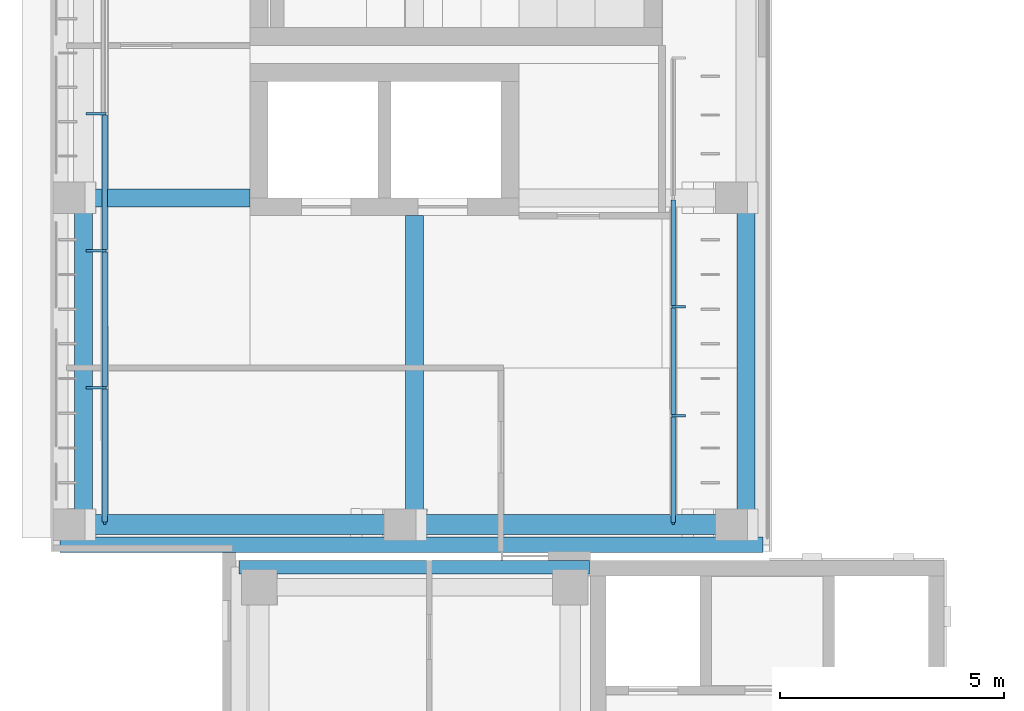
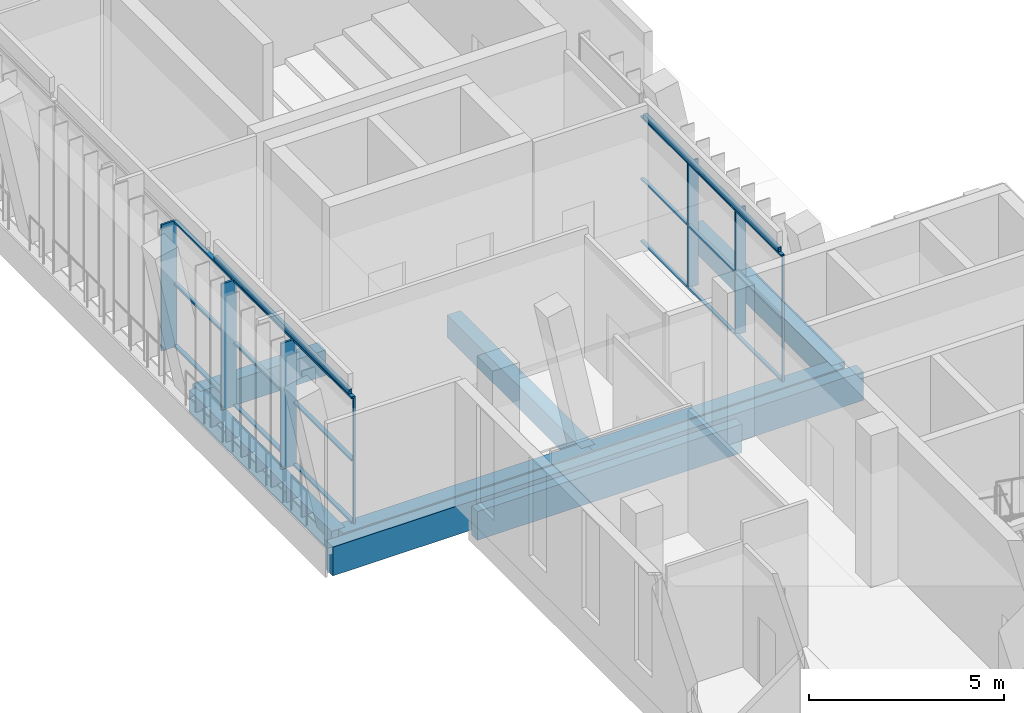
# One storey, part 16 of 74: 25 members, 10 beams, 2 elements without a shape of their own.
"""IFC4 building model written with IfcOpenShell, lengths in metres."""

from ifc_helpers import new_model, si_unit, direction, frame, origin, origin_2d, place, context, subcontext, project, spatial, rectangle, hollow_rectangle, extrude, material, material_profile, profile_set, type_object, element, aggregate, save


model = new_model("IFC4")

# Units and contexts
model_context = context("Model", 3, precision=1e-05, world=origin(), true_north=direction((0.0, 1.0)))
body_context = subcontext(model_context, "Body", "Model", "MODEL_VIEW")
ifc_project = project(units=[si_unit("LENGTHUNIT", "METRE"), si_unit("AREAUNIT", "SQUARE_METRE"), si_unit("VOLUMEUNIT", "CUBIC_METRE"), si_unit("PLANEANGLEUNIT", "RADIAN"), si_unit("MASSUNIT", "GRAM", prefix="KILO")], contexts=[model_context])

# Site, building, storey
site_placement = place(None, origin())
site = spatial("IfcSite", under=ifc_project, at=site_placement, CompositionType="ELEMENT")
building_placement = place(site_placement, origin())
building = spatial("IfcBuilding", under=site, at=building_placement, Name="Lantern Court Media Centre", CompositionType="ELEMENT")
storey_placement = place(building_placement, frame((0.0, 0.0, 19.199951171875)))
storey = spatial("IfcBuildingStorey", under=building, at=storey_placement, Name="L04", CompositionType="ELEMENT", Elevation=19.199951171875)

# Curtain wall, members
ifc_material_1 = material(Name="Curtain wall bay 2400")
curtain_wall_type_1 = type_object("IfcCurtainWallType", Name="Curtain wall bay 2400", PredefinedType="NOTDEFINED", material=ifc_material_1)
curtain_wall_1_placement = place(storey_placement, origin())
curtain_wall_1 = element("IfcCurtainWall", 1, at=curtain_wall_1_placement, inside=storey, type_object=curtain_wall_type_1, Name="Curtain wall W inner L04", PredefinedType="NOTDEFINED")
ifc_material_2 = material(Name="Anodised aluminium", Category="aluminium")
ifc_material_profile_1 = material_profile(ifc_material_2, rectangle(XDim=0.300048828125, YDim=0.050048828125, at=origin_2d()), Name="AL 50x300")
ifc_profile_set_1 = profile_set([ifc_material_profile_1], Name="Anodised aluminium")
member_type_1 = type_object("IfcMemberType", Name="Curtain wall mullion 50x300", PredefinedType="MULLION", material=ifc_profile_set_1)
member_1_placement = place(storey_placement, frame((17.969970703125, 67.13330078125, 0.0), z_axis=(0.0, 0.0, 1.0), x_axis=(-1.0, 0.0, 0.0)))
member_1 = element("IfcMember", 2, at=member_1_placement, type_object=member_type_1, Name="CW2 mullion 2", PredefinedType="MULLION", context=body_context, shape_type="SweptSolid", body=[
    extrude(rectangle(XDim=0.300048828125, YDim=0.050048828125, at=origin_2d()), origin(), (0.0, 0.0, 1.0), 3.949951171875),
])
member_2_placement = place(storey_placement, frame((17.969970703125, 69.566650390625, 0.0), z_axis=(0.0, 0.0, 1.0), x_axis=(-1.0, 0.0, 0.0)))
member_2 = element("IfcMember", 3, at=member_2_placement, type_object=member_type_1, Name="CW2 mullion 3", PredefinedType="MULLION", context=body_context, shape_type="SweptSolid", body=[
    extrude(rectangle(XDim=0.300048828125, YDim=0.050048828125, at=origin_2d()), origin(), (0.0, 0.0, 1.0), 3.949951171875),
])
ifc_material_profile_2 = material_profile(ifc_material_2, rectangle(XDim=0.06005859375, YDim=0.050048828125, at=origin_2d()), Name="AL 50x60")
ifc_profile_set_2 = profile_set([ifc_material_profile_2], Name="Anodised aluminium")
member_type_2 = type_object("IfcMemberType", Name="Curtain wall mullion 50x60", PredefinedType="MULLION", material=ifc_profile_set_2)
member_3_placement = place(storey_placement, frame((17.85009765625, 64.72509765625, 0.0), z_axis=(0.0, 0.0, 1.0), x_axis=(-1.0, 0.0, 0.0)))
member_3 = element("IfcMember", 4, at=member_3_placement, type_object=member_type_2, Name="CW2 mullion 1", PredefinedType="MULLION", context=body_context, shape_type="SweptSolid", body=[
    extrude(rectangle(XDim=0.06005859375, YDim=0.050048828125, at=origin_2d()), origin(), (0.0, 0.0, 1.0), 3.949951171875),
])

ifc_material_3 = material(Name="Curtain wall bay 3000")
curtain_wall_type_2 = type_object("IfcCurtainWallType", Name="Curtain wall bay 3000", PredefinedType="NOTDEFINED", material=ifc_material_3)
curtain_wall_2_placement = place(storey_placement, origin())
curtain_wall_2 = element("IfcCurtainWall", 5, at=curtain_wall_2_placement, inside=storey, type_object=curtain_wall_type_2, Name="Curtain wall W outer L04", PredefinedType="NOTDEFINED")
ifc_material_profile_3 = material_profile(ifc_material_2, rectangle(XDim=0.449951171875, YDim=0.06005859375, at=origin_2d()), Name="AL 60x450")
ifc_profile_set_3 = profile_set([ifc_material_profile_3], Name="Anodised aluminium")
member_type_3 = type_object("IfcMemberType", Name="Curtain wall mullion 60x450", PredefinedType="MULLION", material=ifc_profile_set_3)
member_4_placement = place(storey_placement, frame((4.955078125, 67.760009765625, 0.0), z_axis=(0.0, 0.0, 1.0), x_axis=(-1.0, 0.0, 0.0)))
member_4 = element("IfcMember", 6, at=member_4_placement, type_object=member_type_3, Name="CW1 mullion 2", PredefinedType="MULLION", context=body_context, shape_type="SweptSolid", body=[
    extrude(rectangle(XDim=0.449951171875, YDim=0.06005859375, at=origin_2d()), origin(), (0.0, 0.0, 1.0), 3.949951171875),
])
member_5_placement = place(storey_placement, frame((4.955078125, 70.820068359375, 0.0), z_axis=(0.0, 0.0, 1.0), x_axis=(-1.0, 0.0, 0.0)))
member_5 = element("IfcMember", 7, at=member_5_placement, type_object=member_type_3, Name="CW1 mullion 3", PredefinedType="MULLION", context=body_context, shape_type="SweptSolid", body=[
    extrude(rectangle(XDim=0.449951171875, YDim=0.06005859375, at=origin_2d()), origin(), (0.0, 0.0, 1.0), 3.949951171875),
])
member_6_placement = place(storey_placement, frame((4.955078125, 73.8798828125, 0.0), z_axis=(0.0, 0.0, 1.0), x_axis=(-1.0, 0.0, 0.0)))
member_6 = element("IfcMember", 8, at=member_6_placement, type_object=member_type_3, Name="CW1 mullion 4", PredefinedType="MULLION", context=body_context, shape_type="SweptSolid", body=[
    extrude(rectangle(XDim=0.449951171875, YDim=0.06005859375, at=origin_2d()), origin(), (0.0, 0.0, 1.0), 3.949951171875),
])
ifc_material_profile_4 = material_profile(ifc_material_2, rectangle(XDim=0.06005859375, YDim=0.06005859375, at=origin_2d()), Name="AL 60x60")
ifc_profile_set_4 = profile_set([ifc_material_profile_4], Name="Anodised aluminium")
member_type_4 = type_object("IfcMemberType", Name="Curtain wall mullion 60x60", PredefinedType="MULLION", material=ifc_profile_set_4)
member_7_placement = place(storey_placement, frame((5.14990234375, 64.72998046875, 0.0), z_axis=(0.0, 0.0, 1.0), x_axis=(-1.0, 0.0, 0.0)))
member_7 = element("IfcMember", 9, at=member_7_placement, type_object=member_type_4, Name="CW1 mullion 1", PredefinedType="MULLION", context=body_context, shape_type="SweptSolid", body=[
    extrude(rectangle(XDim=0.06005859375, YDim=0.06005859375, at=origin_2d()), origin(), (0.0, 0.0, 1.0), 3.949951171875),
])

# Member
ifc_material_profile_5 = material_profile(ifc_material_2, rectangle(XDim=0.10009765625, YDim=0.050048828125, at=origin_2d()), Name="AL 50x100")
ifc_profile_set_5 = profile_set([ifc_material_profile_5], Name="Anodised aluminium")
member_type_5 = type_object("IfcMemberType", Name="Curtain wall transom 100x50", PredefinedType="USERDEFINED", material=ifc_profile_set_5)
member_8_placement = place(storey_placement, frame((17.85009765625, 64.75, 0.025146484375), z_axis=(0.0, 1.0, 0.0), x_axis=(-1.0, 0.0, 0.0)))
member_8 = element("IfcMember", 10, at=member_8_placement, type_object=member_type_5, Name="CW2 transom 1.1", ObjectType="TRANSOM", PredefinedType="USERDEFINED", context=body_context, shape_type="SweptSolid", body=[
    extrude(rectangle(XDim=0.10009765625, YDim=0.050048828125, at=origin_2d()), origin(), (0.0, 0.0, 1.0), 2.3583984375),
])

member_9_placement = place(storey_placement, frame((17.85009765625, 64.75, 1.97509765625), z_axis=(0.0, 1.0, 0.0), x_axis=(-1.0, 0.0, 0.0)))
member_9 = element("IfcMember", 11, at=member_9_placement, type_object=member_type_5, Name="CW2 transom 1.2", ObjectType="TRANSOM", PredefinedType="USERDEFINED", context=body_context, shape_type="SweptSolid", body=[
    extrude(rectangle(XDim=0.10009765625, YDim=0.050048828125, at=origin_2d()), origin(), (0.0, 0.0, 1.0), 2.3583984375),
])

member_10_placement = place(storey_placement, frame((17.85009765625, 64.75, 3.925048828125), z_axis=(0.0, 1.0, 0.0), x_axis=(-1.0, 0.0, 0.0)))
member_10 = element("IfcMember", 12, at=member_10_placement, type_object=member_type_5, Name="CW2 transom 1.3", ObjectType="TRANSOM", PredefinedType="USERDEFINED", context=body_context, shape_type="SweptSolid", body=[
    extrude(rectangle(XDim=0.10009765625, YDim=0.050048828125, at=origin_2d()), origin(), (0.0, 0.0, 1.0), 2.3583984375),
])

member_11_placement = place(storey_placement, frame((17.85009765625, 67.158447265625, 0.025146484375), z_axis=(0.0, 1.0, 0.0), x_axis=(-1.0, 0.0, 0.0)))
member_11 = element("IfcMember", 13, at=member_11_placement, type_object=member_type_5, Name="CW2 transom 2.1", ObjectType="TRANSOM", PredefinedType="USERDEFINED", context=body_context, shape_type="SweptSolid", body=[
    extrude(rectangle(XDim=0.10009765625, YDim=0.050048828125, at=origin_2d()), origin(), (0.0, 0.0, 1.0), 2.38330078125),
])

member_12_placement = place(storey_placement, frame((17.85009765625, 67.158447265625, 1.97509765625), z_axis=(0.0, 1.0, 0.0), x_axis=(-1.0, 0.0, 0.0)))
member_12 = element("IfcMember", 14, at=member_12_placement, type_object=member_type_5, Name="CW2 transom 2.2", ObjectType="TRANSOM", PredefinedType="USERDEFINED", context=body_context, shape_type="SweptSolid", body=[
    extrude(rectangle(XDim=0.10009765625, YDim=0.050048828125, at=origin_2d()), origin(), (0.0, 0.0, 1.0), 2.38330078125),
])

member_13_placement = place(storey_placement, frame((17.85009765625, 67.158447265625, 3.925048828125), z_axis=(0.0, 1.0, 0.0), x_axis=(-1.0, 0.0, 0.0)))
member_13 = element("IfcMember", 15, at=member_13_placement, type_object=member_type_5, Name="CW2 transom 2.3", ObjectType="TRANSOM", PredefinedType="USERDEFINED", context=body_context, shape_type="SweptSolid", body=[
    extrude(rectangle(XDim=0.10009765625, YDim=0.050048828125, at=origin_2d()), origin(), (0.0, 0.0, 1.0), 2.38330078125),
])

member_14_placement = place(storey_placement, frame((17.85009765625, 69.591552734375, 0.025146484375), z_axis=(0.0, 1.0, 0.0), x_axis=(-1.0, 0.0, 0.0)))
member_14 = element("IfcMember", 16, at=member_14_placement, type_object=member_type_5, Name="CW2 transom 3.1", ObjectType="TRANSOM", PredefinedType="USERDEFINED", context=body_context, shape_type="SweptSolid", body=[
    extrude(rectangle(XDim=0.10009765625, YDim=0.050048828125, at=origin_2d()), origin(), (0.0, 0.0, 1.0), 2.3583984375),
])

member_15_placement = place(storey_placement, frame((17.85009765625, 69.591552734375, 1.97509765625), z_axis=(0.0, 1.0, 0.0), x_axis=(-1.0, 0.0, 0.0)))
member_15 = element("IfcMember", 17, at=member_15_placement, type_object=member_type_5, Name="CW2 transom 3.2", ObjectType="TRANSOM", PredefinedType="USERDEFINED", context=body_context, shape_type="SweptSolid", body=[
    extrude(rectangle(XDim=0.10009765625, YDim=0.050048828125, at=origin_2d()), origin(), (0.0, 0.0, 1.0), 2.3583984375),
])

member_16_placement = place(storey_placement, frame((17.85009765625, 69.591552734375, 3.925048828125), z_axis=(0.0, 1.0, 0.0), x_axis=(-1.0, 0.0, 0.0)))
member_16 = element("IfcMember", 18, at=member_16_placement, type_object=member_type_5, Name="CW2 transom 3.3", ObjectType="TRANSOM", PredefinedType="USERDEFINED", context=body_context, shape_type="SweptSolid", body=[
    extrude(rectangle(XDim=0.10009765625, YDim=0.050048828125, at=origin_2d()), origin(), (0.0, 0.0, 1.0), 2.3583984375),
])

aggregate(curtain_wall_1, [member_3, member_1, member_2, member_8, member_9, member_10, member_11, member_12, member_13, member_14, member_15, member_16])

ifc_material_profile_6 = material_profile(ifc_material_2, rectangle(XDim=0.1201171875, YDim=0.06005859375, at=origin_2d()), Name="AL 60x120")
ifc_profile_set_6 = profile_set([ifc_material_profile_6], Name="Anodised aluminium")
member_type_6 = type_object("IfcMemberType", Name="Curtain wall transom 60x120", PredefinedType="USERDEFINED", material=ifc_profile_set_6)
member_17_placement = place(storey_placement, frame((5.14990234375, 64.760009765625, 0.030029296875), z_axis=(0.0, 1.0, 0.0), x_axis=(-1.0, 0.0, 0.0)))
member_17 = element("IfcMember", 19, at=member_17_placement, type_object=member_type_6, Name="CW1 transom 1.1", ObjectType="TRANSOM", PredefinedType="USERDEFINED", context=body_context, shape_type="SweptSolid", body=[
    extrude(rectangle(XDim=0.1201171875, YDim=0.06005859375, at=origin_2d()), origin(), (0.0, 0.0, 1.0), 2.969970703125),
])

member_18_placement = place(storey_placement, frame((5.14990234375, 64.760009765625, 1.97509765625), z_axis=(0.0, 1.0, 0.0), x_axis=(-1.0, 0.0, 0.0)))
member_18 = element("IfcMember", 20, at=member_18_placement, type_object=member_type_6, Name="CW1 transom 1.2", ObjectType="TRANSOM", PredefinedType="USERDEFINED", context=body_context, shape_type="SweptSolid", body=[
    extrude(rectangle(XDim=0.1201171875, YDim=0.06005859375, at=origin_2d()), origin(), (0.0, 0.0, 1.0), 2.969970703125),
])

member_19_placement = place(storey_placement, frame((5.14990234375, 64.760009765625, 3.920166015625), z_axis=(0.0, 1.0, 0.0), x_axis=(-1.0, 0.0, 0.0)))
member_19 = element("IfcMember", 21, at=member_19_placement, type_object=member_type_6, Name="CW1 transom 1.3", ObjectType="TRANSOM", PredefinedType="USERDEFINED", context=body_context, shape_type="SweptSolid", body=[
    extrude(rectangle(XDim=0.1201171875, YDim=0.06005859375, at=origin_2d()), origin(), (0.0, 0.0, 1.0), 2.969970703125),
])

member_20_placement = place(storey_placement, frame((5.14990234375, 67.7900390625, 0.030029296875), z_axis=(0.0, 1.0, 0.0), x_axis=(-1.0, 0.0, 0.0)))
member_20 = element("IfcMember", 22, at=member_20_placement, type_object=member_type_6, Name="CW1 transom 2.1", ObjectType="TRANSOM", PredefinedType="USERDEFINED", context=body_context, shape_type="SweptSolid", body=[
    extrude(rectangle(XDim=0.1201171875, YDim=0.06005859375, at=origin_2d()), origin(), (0.0, 0.0, 1.0), 3.0),
])

member_21_placement = place(storey_placement, frame((5.14990234375, 67.7900390625, 1.97509765625), z_axis=(0.0, 1.0, 0.0), x_axis=(-1.0, 0.0, 0.0)))
member_21 = element("IfcMember", 23, at=member_21_placement, type_object=member_type_6, Name="CW1 transom 2.2", ObjectType="TRANSOM", PredefinedType="USERDEFINED", context=body_context, shape_type="SweptSolid", body=[
    extrude(rectangle(XDim=0.1201171875, YDim=0.06005859375, at=origin_2d()), origin(), (0.0, 0.0, 1.0), 3.0),
])

member_22_placement = place(storey_placement, frame((5.14990234375, 67.7900390625, 3.920166015625), z_axis=(0.0, 1.0, 0.0), x_axis=(-1.0, 0.0, 0.0)))
member_22 = element("IfcMember", 24, at=member_22_placement, type_object=member_type_6, Name="CW1 transom 2.3", ObjectType="TRANSOM", PredefinedType="USERDEFINED", context=body_context, shape_type="SweptSolid", body=[
    extrude(rectangle(XDim=0.1201171875, YDim=0.06005859375, at=origin_2d()), origin(), (0.0, 0.0, 1.0), 3.0),
])

member_23_placement = place(storey_placement, frame((5.14990234375, 70.85009765625, 0.030029296875), z_axis=(0.0, 1.0, 0.0), x_axis=(-1.0, 0.0, 0.0)))
member_23 = element("IfcMember", 25, at=member_23_placement, type_object=member_type_6, Name="CW1 transom 3.1", ObjectType="TRANSOM", PredefinedType="USERDEFINED", context=body_context, shape_type="SweptSolid", body=[
    extrude(rectangle(XDim=0.1201171875, YDim=0.06005859375, at=origin_2d()), origin(), (0.0, 0.0, 1.0), 3.0),
])

member_24_placement = place(storey_placement, frame((5.14990234375, 70.85009765625, 1.97509765625), z_axis=(0.0, 1.0, 0.0), x_axis=(-1.0, 0.0, 0.0)))
member_24 = element("IfcMember", 26, at=member_24_placement, type_object=member_type_6, Name="CW1 transom 3.2", ObjectType="TRANSOM", PredefinedType="USERDEFINED", context=body_context, shape_type="SweptSolid", body=[
    extrude(rectangle(XDim=0.1201171875, YDim=0.06005859375, at=origin_2d()), origin(), (0.0, 0.0, 1.0), 3.0),
])

member_25_placement = place(storey_placement, frame((5.14990234375, 70.85009765625, 3.920166015625), z_axis=(0.0, 1.0, 0.0), x_axis=(-1.0, 0.0, 0.0)))
member_25 = element("IfcMember", 27, at=member_25_placement, type_object=member_type_6, Name="CW1 transom 3.3", ObjectType="TRANSOM", PredefinedType="USERDEFINED", context=body_context, shape_type="SweptSolid", body=[
    extrude(rectangle(XDim=0.1201171875, YDim=0.06005859375, at=origin_2d()), origin(), (0.0, 0.0, 1.0), 3.0),
])

aggregate(curtain_wall_2, [member_7, member_4, member_5, member_6, member_17, member_18, member_19, member_20, member_21, member_22, member_23, member_24, member_25])

# Beams
ifc_material_4 = material(Name="Steel S355J2 (EN 10025-2)", Category="steel")
ifc_material_profile_7 = material_profile(ifc_material_4, hollow_rectangle(XDim=0.10009765625, YDim=0.14990234375, WallThickness=0.00634765625, InnerFilletRadius=0.00634765625, OuterFilletRadius=0.009521484375, at=origin_2d()), Name="Facade head lintel RHS 150x100x6.3")
ifc_profile_set_7 = profile_set([ifc_material_profile_7], Name="Steel S355J2 (EN 10025-2)")
beam_type_1 = type_object("IfcBeamType", Name="Facade head lintel RHS 150x100x6.3", PredefinedType="BEAM", material=ifc_profile_set_7)
for number, where, z_axis, x_axis, name in (
    (28, (5.14990234375, 64.89990234375, 4.025146484375), (0.0, 1.0, 0.0), (-1.0, 0.0, 0.0), "Facade head lintel W L04"),
    (29, (17.85009765625, 64.89990234375, 4.025146484375), (0.0, 1.0, 0.0), (-1.0, 0.0, 0.0), "Facade head lintel W L04"),
):
    element("IfcBeam", number, at=place(storey_placement, frame(where, z_axis=z_axis, x_axis=x_axis)), inside=storey, type_object=beam_type_1, Name=name, PredefinedType="BEAM", context=body_context, shape_type="SweptSolid", body=[
        extrude(hollow_rectangle(XDim=0.10009765625, YDim=0.14990234375, WallThickness=0.00634765625, InnerFilletRadius=0.00634765625, OuterFilletRadius=0.009521484375, at=origin_2d()), origin(), (0.0, 0.0, 1.0), 6.900146484375),
    ])
ifc_material_5 = material(Name="Concrete C35", Category="concrete")
ifc_material_profile_8 = material_profile(ifc_material_5, rectangle(XDim=0.300048828125, YDim=0.89990234375, at=origin_2d()), Name="RC 300x900")
ifc_profile_set_8 = profile_set([ifc_material_profile_8], Name="Concrete C35")
beam_type_2 = type_object("IfcBeamType", Name="RC BEAM 300x900", PredefinedType="BEAM", material=ifc_profile_set_8)
beam_1_placement = place(storey_placement, frame((8.14990234375, 63.75, -0.449951171875), z_axis=(1.0, 0.0, 0.0), x_axis=(0.0, 1.0, 0.0)))
element("IfcBeam", 30, at=beam_1_placement, inside=storey, type_object=beam_type_2, Name="EB-SW-L04-N", PredefinedType="BEAM", context=body_context, shape_type="SweptSolid", body=[
    extrude(rectangle(XDim=0.300048828125, YDim=0.89990234375, at=origin_2d()), origin(), (0.0, 0.0, 1.0), 7.830078125),
])
ifc_material_profile_9 = material_profile(ifc_material_5, rectangle(XDim=0.35009765625, YDim=0.89990234375, at=origin_2d()), Name="RC 350x900")
ifc_profile_set_9 = profile_set([ifc_material_profile_9], Name="Concrete C35")
beam_type_3 = type_object("IfcBeamType", Name="RC BEAM 350x900", PredefinedType="BEAM", material=ifc_profile_set_9)
beam_2_placement = place(storey_placement, frame((4.14990234375, 64.25, -0.449951171875), z_axis=(1.0, 0.0, 0.0), x_axis=(0.0, 1.0, 0.0)))
element("IfcBeam", 31, at=beam_2_placement, inside=storey, type_object=beam_type_3, Name="EB-W-L04-C", PredefinedType="BEAM", context=body_context, shape_type="SweptSolid", body=[
    extrude(rectangle(XDim=0.35009765625, YDim=0.89990234375, at=origin_2d()), origin(), (0.0, 0.0, 1.0), 15.7001953125),
])
ifc_material_profile_10 = material_profile(ifc_material_5, rectangle(XDim=0.39990234375, YDim=0.699951171875, at=origin_2d()), Name="RC 400x700")
ifc_profile_set_10 = profile_set([ifc_material_profile_10], Name="Concrete C35")
beam_type_4 = type_object("IfcBeamType", Name="RC BEAM 400x700", PredefinedType="BEAM", material=ifc_profile_set_10)
beam_3_placement = place(storey_placement, frame((4.6728515625, 64.699951171875, -0.349853515625), z_axis=(0.0, 1.0, 0.0), x_axis=(-1.0, 0.0, 0.0)))
element("IfcBeam", 32, at=beam_3_placement, inside=storey, type_object=beam_type_4, Name="LB-W-L04-0-0", PredefinedType="BEAM", context=body_context, shape_type="SweptSolid", body=[
    extrude(rectangle(XDim=0.39990234375, YDim=0.699951171875, at=origin_2d()), origin(), (0.0, 0.0, 1.0), 7.300048828125),
])
beam_4_placement = place(storey_placement, frame((12.072998046875, 64.699951171875, -0.349853515625), z_axis=(0.0, 1.0, 0.0), x_axis=(-1.0, 0.0, 0.0)))
element("IfcBeam", 33, at=beam_4_placement, inside=storey, type_object=beam_type_4, Name="LB-W-L04-1-0", PredefinedType="BEAM", context=body_context, shape_type="SweptSolid", body=[
    extrude(rectangle(XDim=0.39990234375, YDim=0.699951171875, at=origin_2d()), origin(), (0.0, 0.0, 1.0), 6.900146484375),
])
beam_5_placement = place(storey_placement, frame((19.472900390625, 64.699951171875, -0.349853515625), z_axis=(0.0, 1.0, 0.0), x_axis=(-1.0, 0.0, 0.0)))
element("IfcBeam", 34, at=beam_5_placement, inside=storey, type_object=beam_type_4, Name="LB-W-L04-2-0", PredefinedType="BEAM", context=body_context, shape_type="SweptSolid", body=[
    extrude(rectangle(XDim=0.39990234375, YDim=0.699951171875, at=origin_2d()), origin(), (0.0, 0.0, 1.0), 7.300048828125),
])
ifc_material_profile_11 = material_profile(ifc_material_5, rectangle(XDim=0.39990234375, YDim=0.800048828125, at=origin_2d()), Name="RC 400x800")
ifc_profile_set_11 = profile_set([ifc_material_profile_11], Name="Concrete C35")
beam_type_5 = type_object("IfcBeamType", Name="RC BEAM 400x800", PredefinedType="BEAM", material=ifc_profile_set_11)
beam_6_placement = place(storey_placement, frame((4.683349609375, 72.0, -0.39990234375), z_axis=(1.0, 0.0, 0.0), x_axis=(0.0, 1.0, 0.0)))
element("IfcBeam", 35, at=beam_6_placement, inside=storey, type_object=beam_type_5, Name="TB-W-L04-1-1", PredefinedType="BEAM", context=body_context, shape_type="SweptSolid", body=[
    extrude(rectangle(XDim=0.39990234375, YDim=0.800048828125, at=origin_2d()), origin(), (0.0, 0.0, 1.0), 3.716552734375),
])
ifc_material_profile_12 = material_profile(ifc_material_5, rectangle(XDim=0.449951171875, YDim=0.800048828125, at=origin_2d()), Name="RC 450x800")
ifc_profile_set_12 = profile_set([ifc_material_profile_12], Name="Concrete C35")
beam_type_6 = type_object("IfcBeamType", Name="RC BEAM 450x800", PredefinedType="BEAM", material=ifc_profile_set_12)
beam_7_placement = place(storey_placement, frame((4.683349609375, 64.699951171875, -0.39990234375), z_axis=(1.0, 0.0, 0.0), x_axis=(0.0, 1.0, 0.0)))
element("IfcBeam", 36, at=beam_7_placement, inside=storey, type_object=beam_type_6, Name="TB-W-L04-0-1", PredefinedType="BEAM", context=body_context, shape_type="SweptSolid", body=[
    extrude(rectangle(XDim=0.449951171875, YDim=0.800048828125, at=origin_2d()), origin(), (0.0, 0.0, 1.0), 7.39990234375),
])
beam_8_placement = place(storey_placement, frame((12.083251953125, 64.699951171875, -0.39990234375), z_axis=(1.0, 0.0, 0.0), x_axis=(0.0, 1.0, 0.0)))
element("IfcBeam", 37, at=beam_8_placement, inside=storey, type_object=beam_type_6, Name="TB-W-L04-0-2", PredefinedType="BEAM", context=body_context, shape_type="SweptSolid", body=[
    extrude(rectangle(XDim=0.449951171875, YDim=0.800048828125, at=origin_2d()), origin(), (0.0, 0.0, 1.0), 7.400146484375),
])

save(model, "model.ifc")
